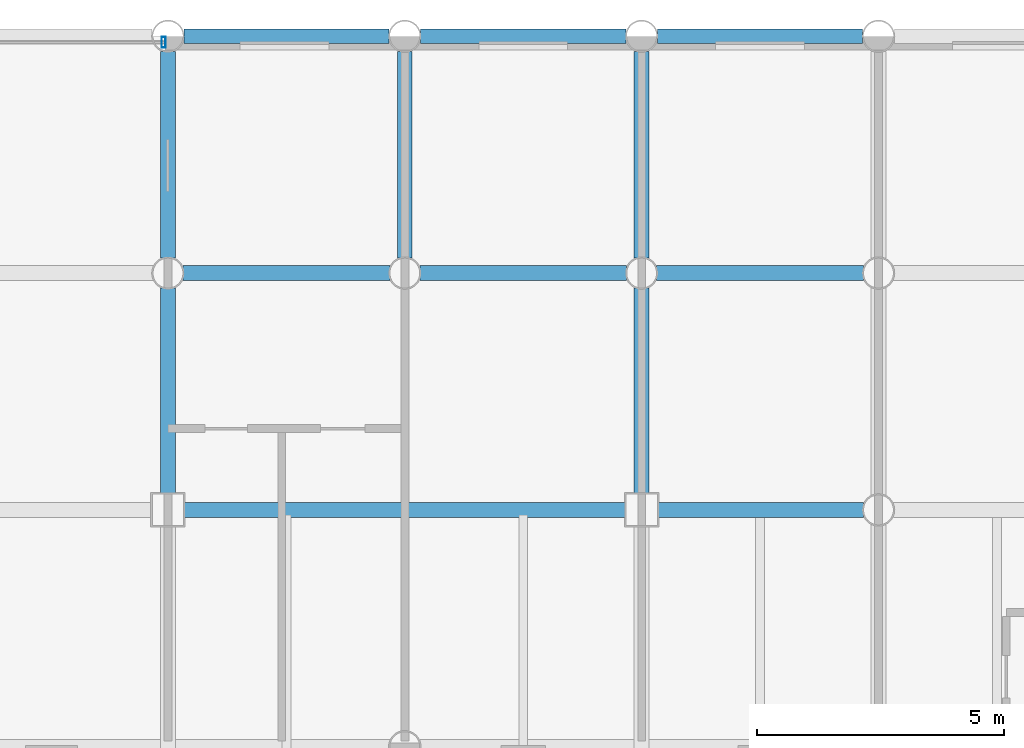
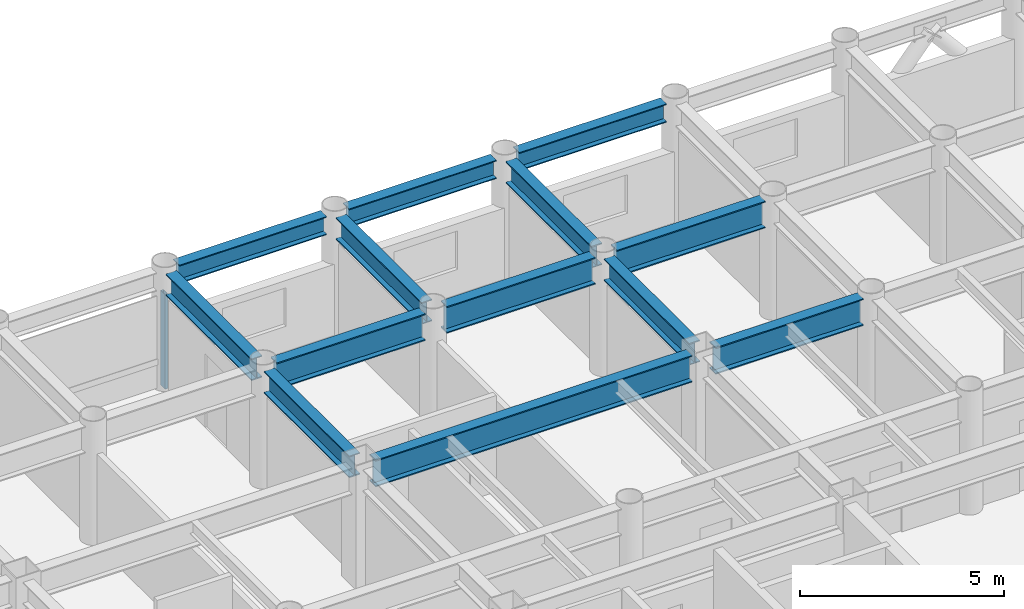
# One storey, part 14 of 22: 13 beams, 1 member, 1 element without a shape of its own.
"""IFC4 building model written with IfcOpenShell, lengths in metres."""

from ifc_helpers import new_model, si_unit, direction, frame, origin, origin_2d, place, context, subcontext, project, spatial, hollow_rectangle, i_section, extrude, material, layer, layer_set, material_profile, profile_set, type_object, element, aggregate, save


model = new_model("IFC4")

# Units and contexts
model_context = context("Model", 3, precision=1e-05, world=origin(), true_north=direction((0.0, 1.0)))
body_context = subcontext(model_context, "Body", "Model", "MODEL_VIEW")
ifc_project = project(units=[si_unit("LENGTHUNIT", "METRE"), si_unit("AREAUNIT", "SQUARE_METRE"), si_unit("VOLUMEUNIT", "CUBIC_METRE"), si_unit("PLANEANGLEUNIT", "RADIAN"), si_unit("MASSUNIT", "GRAM", prefix="KILO")], contexts=[model_context])

# Site, building, storey
site_placement = place(None, origin())
site = spatial("IfcSite", under=ifc_project, at=site_placement, CompositionType="ELEMENT")
building_placement = place(site_placement, origin())
building = spatial("IfcBuilding", under=site, at=building_placement, Name="Kallvorn Hotel Tower", CompositionType="ELEMENT")
storey_placement = place(building_placement, frame((0.0, 0.0, 110.0)))
storey = spatial("IfcBuildingStorey", under=building, at=storey_placement, Name="L26", CompositionType="ELEMENT", Elevation=110.0)

# Beams
ifc_material_1 = material(Name="Structural steel S355JR", Category="steel")
ifc_material_profile_1 = material_profile(ifc_material_1, i_section(OverallWidth=0.300048828125, OverallDepth=0.550048828125, WebThickness=0.014892578125, FlangeThickness=0.029052734375, at=origin_2d()), Name="HE 550 B")
ifc_profile_set_1 = profile_set([ifc_material_profile_1], Name="Structural steel S355JR")
beam_type_1 = type_object("IfcBeamType", Name="BM_HE550B", PredefinedType="SPANDREL", material=ifc_profile_set_1)
beam_1_placement = place(storey_placement, frame((5.1201171875, 24.0, 3.2451171875), z_axis=(1.0, 0.0, 0.0), x_axis=(0.0, 1.0, 0.0)))
element("IfcBeam", 1, at=beam_1_placement, inside=storey, type_object=beam_type_1, Name="L27 Perimeter Spandrel 169", PredefinedType="SPANDREL", context=body_context, shape_type="SweptSolid", body=[
    extrude(i_section(OverallWidth=0.300048828125, OverallDepth=0.550048828125, WebThickness=0.014892578125, FlangeThickness=0.029052734375, at=origin_2d()), origin(), (0.0, 0.0, 1.0), 4.159912109375),
])
beam_2_placement = place(storey_placement, frame((9.919921875, 24.0, 3.2451171875), z_axis=(1.0, 0.0, 0.0), x_axis=(0.0, 1.0, 0.0)))
element("IfcBeam", 2, at=beam_2_placement, inside=storey, type_object=beam_type_1, Name="L27 Perimeter Spandrel 170", PredefinedType="SPANDREL", context=body_context, shape_type="SweptSolid", body=[
    extrude(i_section(OverallWidth=0.300048828125, OverallDepth=0.550048828125, WebThickness=0.014892578125, FlangeThickness=0.029052734375, at=origin_2d()), origin(), (0.0, 0.0, 1.0), 4.16015625),
])
beam_3_placement = place(storey_placement, frame((14.719970703125, 24.0, 3.2451171875), z_axis=(1.0, 0.0, 0.0), x_axis=(0.0, 1.0, 0.0)))
element("IfcBeam", 3, at=beam_3_placement, inside=storey, type_object=beam_type_1, Name="L27 Perimeter Spandrel 171", PredefinedType="SPANDREL", context=body_context, shape_type="SweptSolid", body=[
    extrude(i_section(OverallWidth=0.300048828125, OverallDepth=0.550048828125, WebThickness=0.014892578125, FlangeThickness=0.029052734375, at=origin_2d()), origin(), (0.0, 0.0, 1.0), 4.159912109375),
])
ifc_material_2 = material(Name="Structural steel S355JR", Category="steel")
ifc_material_profile_2 = material_profile(ifc_material_2, i_section(OverallWidth=0.300048828125, OverallDepth=0.64990234375, WebThickness=0.01611328125, FlangeThickness=0.031005859375, at=origin_2d()), Name="HE 650 B")
ifc_profile_set_2 = profile_set([ifc_material_profile_2], Name="Structural steel S355JR")
beam_type_2 = type_object("IfcBeamType", Name="BM_HE650B", PredefinedType="BEAM", material=ifc_profile_set_2)
beam_4_placement = place(storey_placement, frame((4.800048828125, 14.72509765625, 3.195068359375), z_axis=(0.0, 1.0, 0.0), x_axis=(-1.0, 0.0, 0.0)))
element("IfcBeam", 4, at=beam_4_placement, inside=storey, type_object=beam_type_2, Name="L27 Primary Y-Girder 116", PredefinedType="BEAM", context=body_context, shape_type="SweptSolid", body=[
    extrude(i_section(OverallWidth=0.300048828125, OverallDepth=0.64990234375, WebThickness=0.01611328125, FlangeThickness=0.031005859375, at=origin_2d()), origin(), (0.0, 0.0, 1.0), 4.169921875),
])
for number, where, z_axis, x_axis, name in (
    (5, (4.800048828125, 19.5048828125, 3.195068359375), (0.0, 1.0, 0.0), (-1.0, 0.0, 0.0), "L27 Primary Y-Girder 117"),
    (6, (9.60009765625, 19.5048828125, 3.195068359375), (0.0, 1.0, 0.0), (-1.0, 0.0, 0.0), "L27 Primary Y-Girder 120"),
):
    element("IfcBeam", number, at=place(storey_placement, frame(where, z_axis=z_axis, x_axis=x_axis)), inside=storey, type_object=beam_type_2, Name=name, PredefinedType="BEAM", context=body_context, shape_type="SweptSolid", body=[
        extrude(i_section(OverallWidth=0.300048828125, OverallDepth=0.64990234375, WebThickness=0.01611328125, FlangeThickness=0.031005859375, at=origin_2d()), origin(), (0.0, 0.0, 1.0), 4.190185546875),
    ])
beam_5_placement = place(storey_placement, frame((14.39990234375, 14.72509765625, 3.195068359375), z_axis=(0.0, 1.0, 0.0), x_axis=(-1.0, 0.0, 0.0)))
element("IfcBeam", 7, at=beam_5_placement, inside=storey, type_object=beam_type_2, Name="L27 Primary Y-Girder 124", PredefinedType="BEAM", context=body_context, shape_type="SweptSolid", body=[
    extrude(i_section(OverallWidth=0.300048828125, OverallDepth=0.64990234375, WebThickness=0.01611328125, FlangeThickness=0.031005859375, at=origin_2d()), origin(), (0.0, 0.0, 1.0), 4.169921875),
])
beam_6_placement = place(storey_placement, frame((14.39990234375, 19.5048828125, 3.195068359375), z_axis=(0.0, 1.0, 0.0), x_axis=(-1.0, 0.0, 0.0)))
element("IfcBeam", 8, at=beam_6_placement, inside=storey, type_object=beam_type_2, Name="L27 Primary Y-Girder 125", PredefinedType="BEAM", context=body_context, shape_type="SweptSolid", body=[
    extrude(i_section(OverallWidth=0.300048828125, OverallDepth=0.64990234375, WebThickness=0.01611328125, FlangeThickness=0.031005859375, at=origin_2d()), origin(), (0.0, 0.0, 1.0), 4.190185546875),
])
ifc_material_3 = material(Name="Structural steel S355JR", Category="steel")
ifc_material_profile_3 = material_profile(ifc_material_3, i_section(OverallWidth=0.300048828125, OverallDepth=0.800048828125, WebThickness=0.017578125, FlangeThickness=0.032958984375, at=origin_2d()), Name="HE 800 B")
ifc_profile_set_3 = profile_set([ifc_material_profile_3], Name="Structural steel S355JR")
beam_type_3 = type_object("IfcBeamType", Name="BM_HE800B", PredefinedType="BEAM", material=ifc_profile_set_3)
beam_7_placement = place(storey_placement, frame((5.125, 14.39990234375, 3.1201171875), z_axis=(1.0, 0.0, 0.0), x_axis=(0.0, 1.0, 0.0)))
element("IfcBeam", 9, at=beam_7_placement, inside=storey, type_object=beam_type_3, Name="L27 Primary X-Girder 55", PredefinedType="BEAM", context=body_context, shape_type="SweptSolid", body=[
    extrude(i_section(OverallWidth=0.300048828125, OverallDepth=0.800048828125, WebThickness=0.017578125, FlangeThickness=0.032958984375, at=origin_2d()), origin(), (0.0, 0.0, 1.0), 8.949951171875),
])
beam_8_placement = place(storey_placement, frame((14.72509765625, 14.39990234375, 3.1201171875), z_axis=(1.0, 0.0, 0.0), x_axis=(0.0, 1.0, 0.0)))
element("IfcBeam", 10, at=beam_8_placement, inside=storey, type_object=beam_type_3, Name="L27 Primary X-Girder 56", PredefinedType="BEAM", context=body_context, shape_type="SweptSolid", body=[
    extrude(i_section(OverallWidth=0.300048828125, OverallDepth=0.800048828125, WebThickness=0.017578125, FlangeThickness=0.032958984375, at=origin_2d()), origin(), (0.0, 0.0, 1.0), 4.169921875),
])
for number, where, z_axis, x_axis, name in (
    (11, (5.10498046875, 19.199951171875, 3.1201171875), (1.0, 0.0, 0.0), (0.0, 1.0, 0.0), "L27 Primary X-Girder 67"),
    (12, (9.905029296875, 19.199951171875, 3.1201171875), (1.0, 0.0, 0.0), (0.0, 1.0, 0.0), "L27 Primary X-Girder 68"),
    (13, (14.705078125, 19.199951171875, 3.1201171875), (1.0, 0.0, 0.0), (0.0, 1.0, 0.0), "L27 Primary X-Girder 69"),
):
    element("IfcBeam", number, at=place(storey_placement, frame(where, z_axis=z_axis, x_axis=x_axis)), inside=storey, type_object=beam_type_3, Name=name, PredefinedType="BEAM", context=body_context, shape_type="SweptSolid", body=[
        extrude(i_section(OverallWidth=0.300048828125, OverallDepth=0.800048828125, WebThickness=0.017578125, FlangeThickness=0.032958984375, at=origin_2d()), origin(), (0.0, 0.0, 1.0), 4.18994140625),
    ])

# Curtain wall, member
ifc_material_4 = material(Name="Thermally broken black-anodised aluminium AA 6063-T6", Category="aluminium")
ifc_layer = layer(ifc_material_4, 0.199951171875)
ifc_layer_set = layer_set([ifc_layer], Name="CW_SYS_3_HOTEL_LOW")
curtain_wall_type = type_object("IfcCurtainWallType", Name="CW_SYS_3_HOTEL_LOW", PredefinedType="USERDEFINED", material=ifc_layer_set)
curtain_wall_placement = place(storey_placement, origin())
curtain_wall = element("IfcCurtainWall", 14, at=curtain_wall_placement, inside=storey, type_object=curtain_wall_type, Name="L26 Dark-Glass Curtain Wall CW-L26-NC", ObjectType="UNITISED CURTAIN WALL", PredefinedType="USERDEFINED")
ifc_material_5 = material(Name="Thermally broken black-anodised aluminium AA 6063-T6", Category="aluminium")
ifc_material_profile_4 = material_profile(ifc_material_5, hollow_rectangle(XDim=0.080078125, YDim=0.219970703125, WallThickness=0.0048828125, at=origin_2d()), Name="MUL 220x80")
ifc_profile_set_4 = profile_set([ifc_material_profile_4], Name="Thermally broken black-anodised aluminium AA 6063-T6")
member_type = type_object("IfcMemberType", Name="CW_MULLION_220x80", PredefinedType="MULLION", material=ifc_profile_set_4)
member_placement = place(storey_placement, frame((4.7099609375, 23.8798828125, 0.02001953125), z_axis=(0.0, 0.0, 1.0), x_axis=(1.0, 0.0, 0.0)))
member = element("IfcMember", 15, at=member_placement, type_object=member_type, Name="CW-L26-NC Mullion 02", PredefinedType="MULLION", context=body_context, shape_type="SweptSolid", body=[
    extrude(hollow_rectangle(XDim=0.080078125, YDim=0.219970703125, WallThickness=0.0048828125, at=origin_2d()), origin(), (0.0, 0.0, 1.0), 2.830078125),
])
aggregate(curtain_wall, [member])

save(model, "model.ifc")
